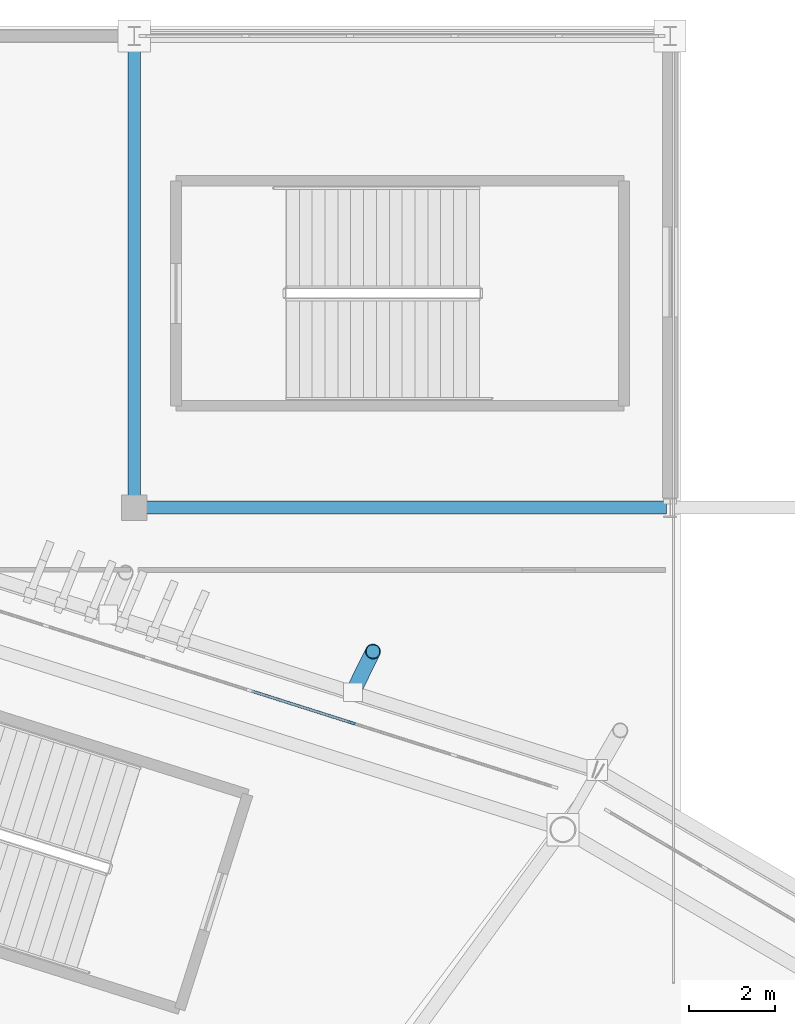
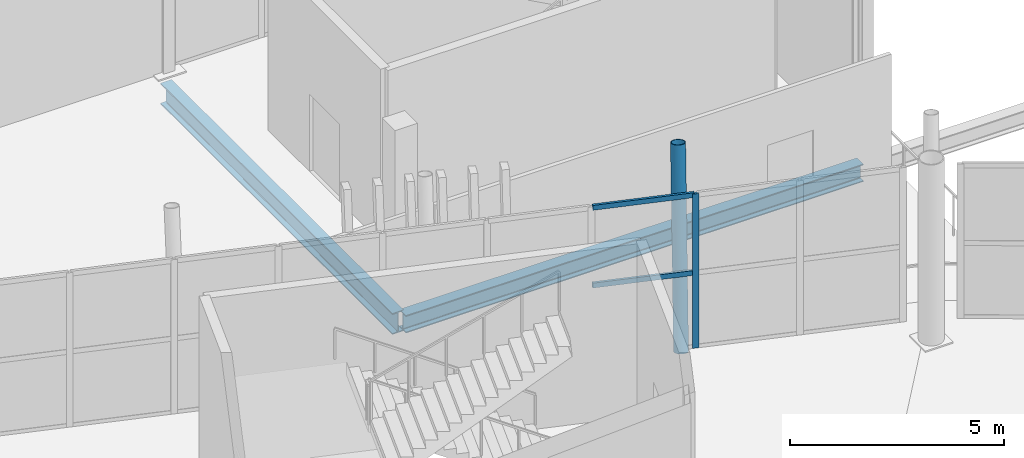
# One storey, part 83 of 178: 4 members, 2 beams, 1 element without a shape of its own.
"""IFC4 building model written with IfcOpenShell, lengths in metres."""

from ifc_helpers import new_model, si_unit, direction, frame, origin, origin_2d, place, context, subcontext, project, spatial, rectangle, hollow_circle, i_section, extrude, material, material_profile, profile_set, type_object, element, aggregate, save


model = new_model("IFC4")

# Units and contexts
model_context = context("Model", 3, precision=1e-05, world=origin(), true_north=direction((0.0, 1.0)))
body_context = subcontext(model_context, "Body", "Model", "MODEL_VIEW")
ifc_project = project(units=[si_unit("LENGTHUNIT", "METRE"), si_unit("AREAUNIT", "SQUARE_METRE"), si_unit("VOLUMEUNIT", "CUBIC_METRE"), si_unit("PLANEANGLEUNIT", "RADIAN"), si_unit("MASSUNIT", "GRAM", prefix="KILO")], contexts=[model_context])

# Site, building, storey
site_placement = place(None, origin())
site = spatial("IfcSite", under=ifc_project, at=site_placement, CompositionType="ELEMENT")
building_placement = place(site_placement, origin())
building = spatial("IfcBuilding", under=site, at=building_placement, Name="Zlatoyarsky Gate Stadium", CompositionType="ELEMENT")
storey_placement = place(building_placement, frame((0.0, 0.0, 5.39990234375)))
storey = spatial("IfcBuildingStorey", under=building, at=storey_placement, Name="L01", CompositionType="ELEMENT", Elevation=5.39990234375)

# Curtain wall, members
ifc_material_1 = material(Name="Thermally broken anodised aluminium curtain wall", Category="aluminium")
curtain_wall_type = type_object("IfcCurtainWallType", Name="UNITISED HOSPITALITY GLAZING L01", PredefinedType="USERDEFINED", material=ifc_material_1)
curtain_wall_placement = place(storey_placement, origin())
curtain_wall = element("IfcCurtainWall", 1, at=curtain_wall_placement, inside=storey, type_object=curtain_wall_type, Name="Curtain wall CW-L01-04", ObjectType="UNITISED GLAZING", PredefinedType="USERDEFINED")
ifc_material_2 = material(Name="Anodised aluminium 6063-T6", Category="aluminium")
ifc_material_profile_1 = material_profile(ifc_material_2, rectangle(XDim=0.06494140625, YDim=0.159912109375, at=origin_2d()), Name="ALU 65X160")
ifc_profile_set_1 = profile_set([ifc_material_profile_1], Name="Anodised aluminium 6063-T6")
member_type_1 = type_object("IfcMemberType", Name="ALUMINIUM MULLION 65X160", PredefinedType="MULLION", material=ifc_profile_set_1)
member_1_placement = place(storey_placement, frame((152.576904296875, 143.980224609375, 0.0), z_axis=(0.0, 0.0, 1.0), x_axis=(-0.302333944964, -0.953202069722, 0.0)))
member_1 = element("IfcMember", 2, at=member_1_placement, type_object=member_type_1, Name="CW-UG1 mullion 3", PredefinedType="MULLION", context=body_context, shape_type="SweptSolid", body=[
    extrude(rectangle(XDim=0.06494140625, YDim=0.159912109375, at=origin_2d()), origin(), (0.0, 0.0, 1.0), 4.400146484375),
])
ifc_material_profile_2 = material_profile(ifc_material_2, rectangle(XDim=0.06494140625, YDim=0.139892578125, at=origin_2d()), Name="ALU 65X140")
ifc_profile_set_2 = profile_set([ifc_material_profile_2], Name="Anodised aluminium 6063-T6")
member_type_2 = type_object("IfcMemberType", Name="ALUMINIUM TRANSOM 65X140", PredefinedType="USERDEFINED", material=ifc_profile_set_2)
member_2_placement = place(storey_placement, frame((152.5458984375, 143.989990234375, 2.150146484375), z_axis=(-0.953202400963, 0.302332900622, 0.0), x_axis=(-0.302332900622, -0.953202400963, 0.0)))
member_2 = element("IfcMember", 3, at=member_2_placement, type_object=member_type_2, Name="CW-UG1 transom 3.2", ObjectType="TRANSOM", PredefinedType="USERDEFINED", context=body_context, shape_type="SweptSolid", body=[
    extrude(rectangle(XDim=0.06494140625, YDim=0.139892578125, at=origin_2d()), origin(), (0.0, 0.0, 1.0), 2.4306640625),
])
member_3_placement = place(storey_placement, frame((152.5458984375, 143.989990234375, 4.36767578125), z_axis=(-0.953202400963, 0.302332900622, 0.0), x_axis=(-0.302332900622, -0.953202400963, 0.0)))
member_3 = element("IfcMember", 4, at=member_3_placement, type_object=member_type_2, Name="CW-UG1 transom 3.3", ObjectType="TRANSOM", PredefinedType="USERDEFINED", context=body_context, shape_type="SweptSolid", body=[
    extrude(rectangle(XDim=0.06494140625, YDim=0.139892578125, at=origin_2d()), origin(), (0.0, 0.0, 1.0), 2.4306640625),
])
aggregate(curtain_wall, [member_1, member_2, member_3])

# Member
ifc_material_3 = material(Name="Steel S355", Category="steel")
ifc_material_profile_3 = material_profile(ifc_material_3, hollow_circle(Radius=0.177734375, WallThickness=0.02001953125, at=origin_2d()), Name="CHS 355.6X20")
ifc_profile_set_3 = profile_set([ifc_material_profile_3], Name="Steel S355")
member_type_3 = type_object("IfcMemberType", Name="STEEL LEANING RIB RING STRUT CHS 355.6X20", PredefinedType="STRUT", material=ifc_profile_set_3)
member_4_placement = place(storey_placement, frame((152.599853515625, 144.694091796875, -0.5498046875), z_axis=(0.088092869249, 0.178569104367, 0.979975877944), x_axis=(-0.896808320254, 0.442419299673, 0.0)))
element("IfcMember", 5, at=member_4_placement, inside=storey, type_object=member_type_3, Name="Outward-leaning bowl louvre fin rib L01 04-1", PredefinedType="STRUT", context=body_context, shape_type="SweptSolid", body=[
    extrude(hollow_circle(Radius=0.177734375, WallThickness=0.02001953125, at=origin_2d()), origin(), (0.0, 0.0, 1.0), 5.32666015625),
])

# Beams
ifc_material_profile_4 = material_profile(ifc_material_3, i_section(OverallWidth=0.300048828125, OverallDepth=0.5, WebThickness=0.014404296875, FlangeThickness=0.028076171875, FilletRadius=0.027099609375, at=origin_2d()), Name="HEB 500")
ifc_profile_set_4 = profile_set([ifc_material_profile_4], Name="Steel S355")
beam_type_1 = type_object("IfcBeamType", Name="STEEL PRIMARY GIRDER HEB 500", PredefinedType="BEAM", material=ifc_profile_set_4)
beam_1_placement = place(storey_placement, frame((147.580078125, 149.0, -0.5498046875), z_axis=(1.0, 0.0, 0.0), x_axis=(0.0, 1.0, 0.0)))
element("IfcBeam", 6, at=beam_1_placement, inside=storey, type_object=beam_type_1, Name="Beam G-HEB500 BM-L01-WGX-13-P", PredefinedType="BEAM", context=body_context, shape_type="SweptSolid", body=[
    extrude(i_section(OverallWidth=0.300048828125, OverallDepth=0.5, WebThickness=0.014404296875, FlangeThickness=0.028076171875, FilletRadius=0.027099609375, at=origin_2d()), origin(), (0.0, 0.0, 1.0), 12.33984375),
])
ifc_material_profile_5 = material_profile(ifc_material_3, i_section(OverallWidth=0.300048828125, OverallDepth=0.60009765625, WebThickness=0.015380859375, FlangeThickness=0.030029296875, FilletRadius=0.027099609375, at=origin_2d()), Name="HEB 600")
ifc_profile_set_5 = profile_set([ifc_material_profile_5], Name="Steel S355")
beam_type_2 = type_object("IfcBeamType", Name="STEEL PRIMARY GIRDER HEB 600", PredefinedType="BEAM", material=ifc_profile_set_5)
beam_2_placement = place(storey_placement, frame((147.5, 149.080078125, -0.599853515625), z_axis=(0.0, 1.0, 0.0), x_axis=(-1.0, 0.0, 0.0)))
element("IfcBeam", 7, at=beam_2_placement, inside=storey, type_object=beam_type_2, Name="Beam G-HEB600 BM-L01-WGY-13-P", PredefinedType="BEAM", context=body_context, shape_type="SweptSolid", body=[
    extrude(i_section(OverallWidth=0.300048828125, OverallDepth=0.60009765625, WebThickness=0.015380859375, FlangeThickness=0.030029296875, FilletRadius=0.027099609375, at=origin_2d()), origin(), (0.0, 0.0, 1.0), 10.83984375),
])

save(model, "model.ifc")
